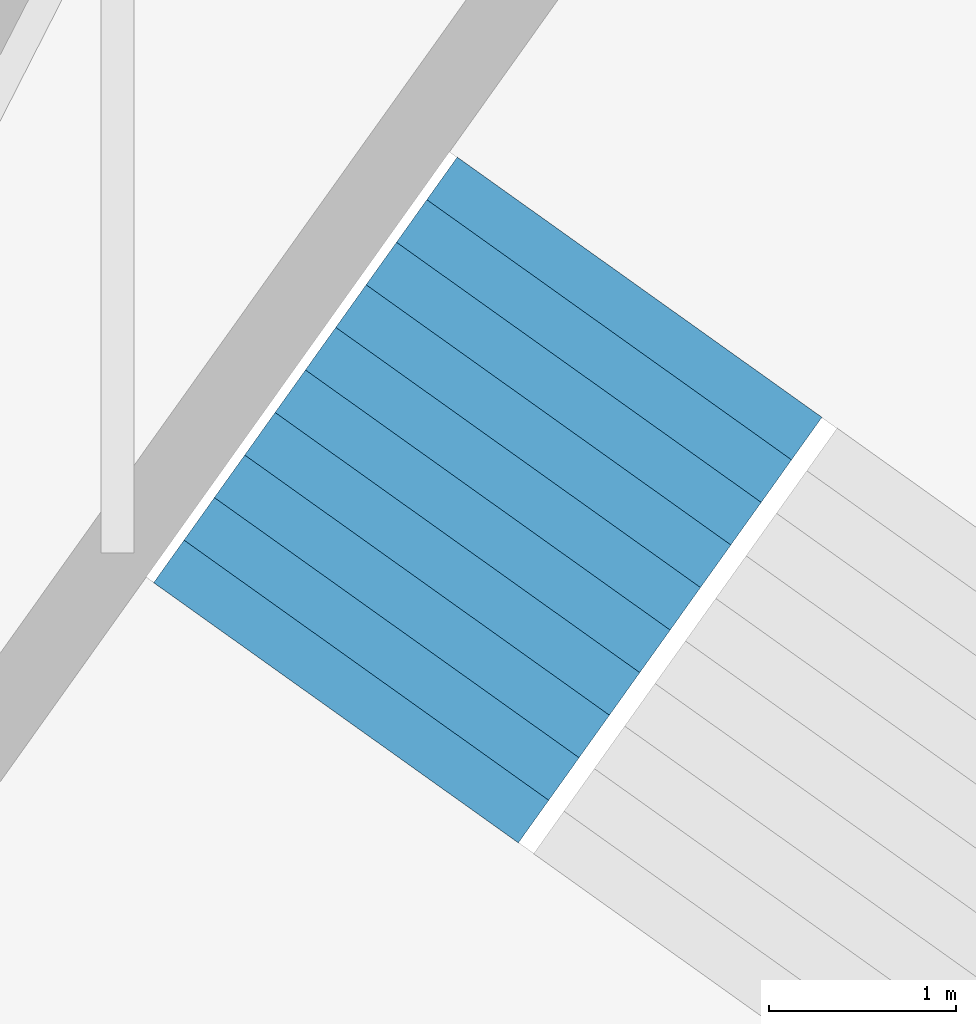
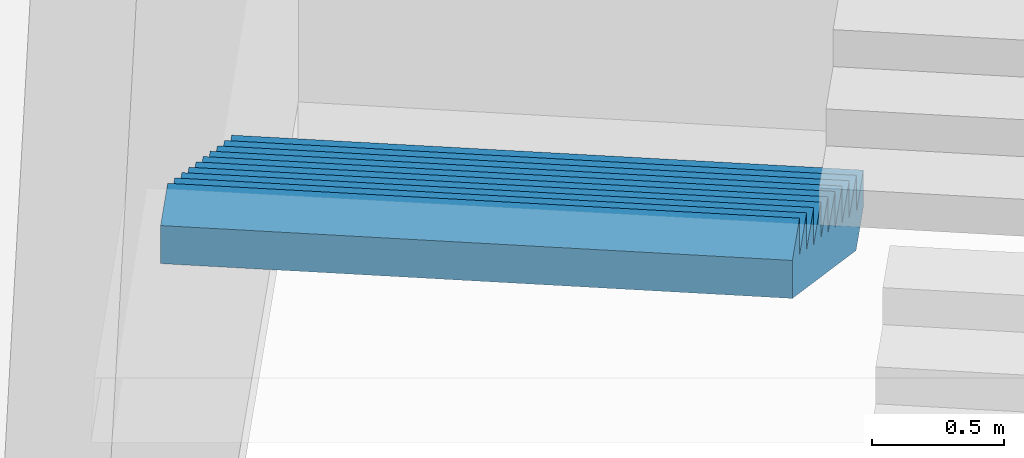
# One storey, part 71 of 73: 1 stair flight, 1 element without a shape of its own.
"""IFC4 building model written with IfcOpenShell, lengths in metres."""

from ifc_helpers import new_model, si_unit, direction, frame, origin, place, context, subcontext, project, spatial, triangles, material, type_object, element, aggregate, save


model = new_model("IFC4")

# Units and contexts
model_context = context("Model", 3, precision=1e-05, world=origin(), true_north=direction((0.0, 1.0)))
body_context = subcontext(model_context, "Body", "Model", "MODEL_VIEW")
ifc_project = project(units=[si_unit("LENGTHUNIT", "METRE"), si_unit("AREAUNIT", "SQUARE_METRE"), si_unit("VOLUMEUNIT", "CUBIC_METRE"), si_unit("PLANEANGLEUNIT", "RADIAN"), si_unit("MASSUNIT", "GRAM", prefix="KILO")], contexts=[model_context])

# Site, building, storey
site_placement = place(None, origin())
site = spatial("IfcSite", under=ifc_project, at=site_placement, CompositionType="ELEMENT")
building_placement = place(site_placement, origin())
building = spatial("IfcBuilding", under=site, at=building_placement, Name="Lantaw Convention Tower", CompositionType="ELEMENT")
storey_placement = place(building_placement, frame((0.0, 0.0, 14.5)))
storey = spatial("IfcBuildingStorey", under=building, at=storey_placement, Name="L02", CompositionType="ELEMENT", Elevation=14.5)

# Stair, stair flight
ifc_material = material(Name="Concrete C35/45", Category="concrete")
stair_type = type_object("IfcStairType", Name="Exit stair 2400 riser 170.45 in 4 flights", PredefinedType="HALF_TURN_STAIR", material=ifc_material)
stair_placement = place(storey_placement, origin())
stair = element("IfcStair", 1, at=stair_placement, inside=storey, type_object=stair_type, Name="Podium exit stair P4 L02", PredefinedType="HALF_TURN_STAIR")
stair_flight_type = type_object("IfcStairFlightType", Name="Stair flight 2400 riser 170.45", PredefinedType="STRAIGHT", material=ifc_material)
stair_flight_placement = place(storey_placement, frame((18.59619140625, 28.2236328125, 1.875), z_axis=(0.0, 0.0, 1.0), x_axis=(-0.580702955711, -0.814115518356, 0.0)))
stair_flight = element("IfcStairFlight", 2, at=stair_flight_placement, type_object=stair_flight_type, Name="P4 flight 2", NumberOfRisers=11, NumberOfTreads=10, PredefinedType="STRAIGHT", RiserHeight=0.170454545, TreadLength=0.28, context=body_context, shape_type="Tessellation", body=[
    triangles([(0.0, 1.199951171875, 0.0), (0.0, 1.199951171875, 0.170454545), (0.28, 1.199951171875, 0.0), (0.28, 1.199951171875, 0.170454545), (0.28, 1.199951171875, 0.34090909), (0.28827876332691904, 1.199951171875, 0.0), (0.28827876332691904, 1.199951171875, 0.34090909), (0.56, 1.199951171875, 0.16541471344266906), (0.56, 1.199951171875, 0.34090909), (0.56, 1.199951171875, 0.511363635), (0.8400000000000001, 1.199951171875, 0.335869258442669), (0.8400000000000001, 1.199951171875, 0.511363635), (0.8400000000000001, 1.199951171875, 0.68181818), (1.12, 1.199951171875, 0.506323803442669), (1.12, 1.199951171875, 0.68181818), (1.12, 1.199951171875, 0.8522727250000001), (1.4000000000000001, 1.199951171875, 0.676778348442669), (1.4000000000000001, 1.199951171875, 0.8522727250000001), (1.4000000000000001, 1.199951171875, 1.02272727), (1.6800000000000002, 1.199951171875, 0.847232893442669), (1.6800000000000002, 1.199951171875, 1.02272727), (1.6800000000000002, 1.199951171875, 1.193181815), (1.9600000000000002, 1.199951171875, 1.017687438442669), (1.9600000000000002, 1.199951171875, 1.193181815), (1.9600000000000002, 1.199951171875, 1.36363636), (2.24, 1.199951171875, 1.188141983442669), (2.24, 1.199951171875, 1.36363636), (2.24, 1.199951171875, 1.5340909050000002), (2.5200000000000005, 1.199951171875, 1.358596528442669), (2.5200000000000005, 1.199951171875, 1.5340909050000002), (2.5200000000000005, 1.199951171875, 1.7045454500000001), (2.8000000000000003, 1.199951171875, 1.529051073442669), (2.8000000000000003, 1.199951171875, 1.7045454500000001), (0.0, -1.199951171875, 0.0), (0.0, -1.199951171875, 0.170454545), (0.28, -1.199951171875, 0.0), (0.28, -1.199951171875, 0.170454545), (0.28, -1.199951171875, 0.34090909), (0.28827876332691904, -1.199951171875, 0.0), (0.28827876332691904, -1.199951171875, 0.34090909), (0.56, -1.199951171875, 0.16541471344266906), (0.56, -1.199951171875, 0.34090909), (0.56, -1.199951171875, 0.511363635), (0.8400000000000001, -1.199951171875, 0.335869258442669), (0.8400000000000001, -1.199951171875, 0.511363635), (0.8400000000000001, -1.199951171875, 0.68181818), (1.12, -1.199951171875, 0.506323803442669), (1.12, -1.199951171875, 0.68181818), (1.12, -1.199951171875, 0.8522727250000001), (1.4000000000000001, -1.199951171875, 0.676778348442669), (1.4000000000000001, -1.199951171875, 0.8522727250000001), (1.4000000000000001, -1.199951171875, 1.02272727), (1.6800000000000002, -1.199951171875, 0.847232893442669), (1.6800000000000002, -1.199951171875, 1.02272727), (1.6800000000000002, -1.199951171875, 1.193181815), (1.9600000000000002, -1.199951171875, 1.017687438442669), (1.9600000000000002, -1.199951171875, 1.193181815), (1.9600000000000002, -1.199951171875, 1.36363636), (2.24, -1.199951171875, 1.188141983442669), (2.24, -1.199951171875, 1.36363636), (2.24, -1.199951171875, 1.5340909050000002), (2.5200000000000005, -1.199951171875, 1.358596528442669), (2.5200000000000005, -1.199951171875, 1.5340909050000002), (2.5200000000000005, -1.199951171875, 1.7045454500000001), (2.8000000000000003, -1.199951171875, 1.529051073442669), (2.8000000000000003, -1.199951171875, 1.7045454500000001), (0.0, 0.239990234375, 0.170454545), (0.0, 0.239990234375, 0.0), (0.0, 0.1199951171875, 0.170454545), (0.0, 0.1199951171875, 0.0), (0.0, 0.0, 0.170454545), (0.0, 0.0, 0.0), (0.0, -0.1199951171875, 0.170454545), (0.0, -0.1199951171875, 0.0), (0.0, -0.239990234375, 0.170454545), (0.0, -0.239990234375, 0.0), (0.28, 0.239990234375, 0.34090909), (0.28, 0.239990234375, 0.170454545), (0.28, 0.1199951171875, 0.34090909), (0.28, 0.1199951171875, 0.170454545), (0.28, 0.0, 0.34090909), (0.28, 0.0, 0.170454545), (0.28, -0.1199951171875, 0.34090909), (0.28, -0.1199951171875, 0.170454545), (0.28, -0.239990234375, 0.34090909), (0.28, -0.239990234375, 0.170454545), (0.56, 0.239990234375, 0.511363635), (0.56, 0.239990234375, 0.34090909), (0.56, 0.1199951171875, 0.511363635), (0.56, 0.1199951171875, 0.34090909), (0.56, 0.0, 0.511363635), (0.56, 0.0, 0.34090909), (0.56, -0.1199951171875, 0.511363635), (0.56, -0.1199951171875, 0.34090909), (0.56, -0.239990234375, 0.511363635), (0.56, -0.239990234375, 0.34090909), (0.8400000000000001, 0.239990234375, 0.68181818), (0.8400000000000001, 0.239990234375, 0.511363635), (0.8400000000000001, 0.1199951171875, 0.68181818), (0.8400000000000001, 0.1199951171875, 0.511363635), (0.8400000000000001, 0.0, 0.68181818), (0.8400000000000001, 0.0, 0.511363635), (0.8400000000000001, -0.1199951171875, 0.68181818), (0.8400000000000001, -0.1199951171875, 0.511363635), (0.8400000000000001, -0.239990234375, 0.68181818), (0.8400000000000001, -0.239990234375, 0.511363635), (1.12, 0.239990234375, 0.8522727250000001), (1.12, 0.239990234375, 0.68181818), (1.12, 0.1199951171875, 0.8522727250000001), (1.12, 0.1199951171875, 0.68181818), (1.12, 0.0, 0.8522727250000001), (1.12, 0.0, 0.68181818), (1.12, -0.1199951171875, 0.8522727250000001), (1.12, -0.1199951171875, 0.68181818), (1.12, -0.239990234375, 0.8522727250000001), (1.12, -0.239990234375, 0.68181818), (1.4000000000000001, 0.239990234375, 1.02272727), (1.4000000000000001, 0.239990234375, 0.8522727250000001), (1.4000000000000001, 0.1199951171875, 1.02272727), (1.4000000000000001, 0.1199951171875, 0.8522727250000001), (1.4000000000000001, 0.0, 1.02272727), (1.4000000000000001, 0.0, 0.8522727250000001), (1.4000000000000001, -0.1199951171875, 1.02272727), (1.4000000000000001, -0.1199951171875, 0.8522727250000001), (1.4000000000000001, -0.239990234375, 1.02272727), (1.4000000000000001, -0.239990234375, 0.8522727250000001), (1.6800000000000002, 0.239990234375, 1.193181815), (1.6800000000000002, 0.239990234375, 1.02272727), (1.6800000000000002, 0.1199951171875, 1.193181815), (1.6800000000000002, 0.1199951171875, 1.02272727), (1.6800000000000002, 0.0, 1.193181815), (1.6800000000000002, 0.0, 1.02272727), (1.6800000000000002, -0.1199951171875, 1.193181815), (1.6800000000000002, -0.1199951171875, 1.02272727), (1.6800000000000002, -0.239990234375, 1.193181815), (1.6800000000000002, -0.239990234375, 1.02272727), (1.9600000000000002, 0.239990234375, 1.36363636), (1.9600000000000002, 0.239990234375, 1.193181815), (1.9600000000000002, 0.1199951171875, 1.36363636), (1.9600000000000002, 0.1199951171875, 1.193181815), (1.9600000000000002, 0.0, 1.36363636), (1.9600000000000002, 0.0, 1.193181815), (1.9600000000000002, -0.1199951171875, 1.36363636), (1.9600000000000002, -0.1199951171875, 1.193181815), (1.9600000000000002, -0.239990234375, 1.36363636), (1.9600000000000002, -0.239990234375, 1.193181815), (2.24, 0.239990234375, 1.5340909050000002), (2.24, 0.239990234375, 1.36363636), (2.24, 0.1199951171875, 1.5340909050000002), (2.24, 0.1199951171875, 1.36363636), (2.24, 0.0, 1.5340909050000002), (2.24, 0.0, 1.36363636), (2.24, -0.1199951171875, 1.5340909050000002), (2.24, -0.1199951171875, 1.36363636), (2.24, -0.239990234375, 1.5340909050000002), (2.24, -0.239990234375, 1.36363636), (2.5200000000000005, 0.239990234375, 1.7045454500000001), (2.5200000000000005, 0.239990234375, 1.5340909050000002), (2.5200000000000005, 0.1199951171875, 1.7045454500000001), (2.5200000000000005, 0.1199951171875, 1.5340909050000002), (2.5200000000000005, 0.0, 1.7045454500000001), (2.5200000000000005, 0.0, 1.5340909050000002), (2.5200000000000005, -0.1199951171875, 1.7045454500000001), (2.5200000000000005, -0.1199951171875, 1.5340909050000002), (2.5200000000000005, -0.239990234375, 1.7045454500000001), (2.5200000000000005, -0.239990234375, 1.5340909050000002), (0.28827876332691904, 0.239990234375, 0.34090909), (0.28827876332691904, 0.1199951171875, 0.34090909), (0.28827876332691904, 0.0, 0.34090909), (0.28827876332691904, -0.1199951171875, 0.34090909), (0.28827876332691904, -0.239990234375, 0.34090909), (2.8000000000000003, 0.239990234375, 1.7045454500000001), (2.8000000000000003, 0.1199951171875, 1.7045454500000001), (2.8000000000000003, 0.0, 1.7045454500000001), (2.8000000000000003, -0.1199951171875, 1.7045454500000001), (2.8000000000000003, -0.239990234375, 1.7045454500000001), (2.8000000000000003, 0.239990234375, 1.5290510734426692), (2.8000000000000003, 0.1199951171875, 1.5290510734426692), (2.8000000000000003, 0.0, 1.5290510734426692), (2.8000000000000003, -0.1199951171875, 1.5290510734426692), (2.8000000000000003, -0.239990234375, 1.5290510734426692), (2.5200000000000005, 0.239990234375, 1.358596528442669), (2.5200000000000005, 0.1199951171875, 1.358596528442669), (2.5200000000000005, 0.0, 1.358596528442669), (2.5200000000000005, -0.1199951171875, 1.358596528442669), (2.5200000000000005, -0.239990234375, 1.358596528442669), (2.24, 0.239990234375, 1.188141983442669), (2.24, 0.1199951171875, 1.188141983442669), (2.24, 0.0, 1.188141983442669), (2.24, -0.1199951171875, 1.188141983442669), (2.24, -0.239990234375, 1.188141983442669), (1.9600000000000002, 0.239990234375, 1.017687438442669), (1.9600000000000002, 0.1199951171875, 1.017687438442669), (1.9600000000000002, 0.0, 1.017687438442669), (1.9600000000000002, -0.1199951171875, 1.017687438442669), (1.9600000000000002, -0.239990234375, 1.017687438442669), (1.6800000000000002, 0.239990234375, 0.847232893442669), (1.6800000000000002, 0.1199951171875, 0.847232893442669), (1.6800000000000002, 0.0, 0.847232893442669), (1.6800000000000002, -0.1199951171875, 0.847232893442669), (1.6800000000000002, -0.239990234375, 0.847232893442669), (1.4000000000000001, 0.239990234375, 0.676778348442669), (1.4000000000000001, 0.1199951171875, 0.676778348442669), (1.4000000000000001, 0.0, 0.676778348442669), (1.4000000000000001, -0.1199951171875, 0.676778348442669), (1.4000000000000001, -0.239990234375, 0.676778348442669), (1.12, 0.239990234375, 0.506323803442669), (1.12, 0.1199951171875, 0.506323803442669), (1.12, 0.0, 0.506323803442669), (1.12, -0.1199951171875, 0.506323803442669), (1.12, -0.239990234375, 0.506323803442669), (0.8400000000000001, 0.239990234375, 0.335869258442669), (0.8400000000000001, 0.1199951171875, 0.335869258442669), (0.8400000000000001, 0.0, 0.335869258442669), (0.8400000000000001, -0.1199951171875, 0.335869258442669), (0.8400000000000001, -0.239990234375, 0.335869258442669), (0.56, 0.239990234375, 0.16541471344266906), (0.56, 0.1199951171875, 0.16541471344266906), (0.56, 0.0, 0.16541471344266906), (0.56, -0.1199951171875, 0.16541471344266906), (0.56, -0.239990234375, 0.16541471344266906), (0.28827876332691904, 0.239990234375, 0.0), (0.28827876332691904, 0.1199951171875, 0.0), (0.28827876332691904, 0.0, 0.0), (0.28827876332691904, -0.1199951171875, 0.0), (0.28827876332691904, -0.239990234375, 0.0), (0.28, 0.239990234375, 0.0), (0.28, 0.1199951171875, 0.0), (0.28, 0.0, 0.0), (0.28, -0.1199951171875, 0.0), (0.28, -0.239990234375, 0.0)], [[1, 4, 3], [1, 2, 4], [3, 4, 6], [4, 7, 6], [4, 5, 7], [6, 9, 8], [6, 7, 9], [8, 9, 11], [9, 12, 11], [9, 10, 12], [11, 12, 14], [12, 15, 14], [12, 13, 15], [14, 15, 17], [15, 18, 17], [15, 16, 18], [17, 18, 20], [18, 21, 20], [18, 19, 21], [20, 21, 23], [21, 24, 23], [21, 22, 24], [23, 24, 26], [24, 27, 26], [24, 25, 27], [26, 27, 29], [27, 30, 29], [27, 28, 30], [29, 30, 32], [30, 33, 32], [30, 31, 33], [34, 36, 37], [34, 37, 35], [36, 39, 37], [37, 39, 40], [37, 40, 38], [39, 41, 42], [39, 42, 40], [41, 44, 42], [42, 44, 45], [42, 45, 43], [44, 47, 45], [45, 47, 48], [45, 48, 46], [47, 50, 48], [48, 50, 51], [48, 51, 49], [50, 53, 51], [51, 53, 54], [51, 54, 52], [53, 56, 54], [54, 56, 57], [54, 57, 55], [56, 59, 57], [57, 59, 60], [57, 60, 58], [59, 62, 60], [60, 62, 63], [60, 63, 61], [62, 65, 63], [63, 65, 66], [63, 66, 64], [1, 67, 2], [1, 68, 67], [68, 69, 67], [68, 70, 69], [70, 71, 69], [70, 72, 71], [72, 73, 71], [72, 74, 73], [74, 75, 73], [74, 76, 75], [76, 35, 75], [76, 34, 35], [4, 77, 5], [4, 78, 77], [78, 79, 77], [78, 80, 79], [80, 81, 79], [80, 82, 81], [82, 83, 81], [82, 84, 83], [84, 85, 83], [84, 86, 85], [86, 38, 85], [86, 37, 38], [9, 87, 10], [9, 88, 87], [88, 89, 87], [88, 90, 89], [90, 91, 89], [90, 92, 91], [92, 93, 91], [92, 94, 93], [94, 95, 93], [94, 96, 95], [96, 43, 95], [96, 42, 43], [12, 97, 13], [12, 98, 97], [98, 99, 97], [98, 100, 99], [100, 101, 99], [100, 102, 101], [102, 103, 101], [102, 104, 103], [104, 105, 103], [104, 106, 105], [106, 46, 105], [106, 45, 46], [15, 107, 16], [15, 108, 107], [108, 109, 107], [108, 110, 109], [110, 111, 109], [110, 112, 111], [112, 113, 111], [112, 114, 113], [114, 115, 113], [114, 116, 115], [116, 49, 115], [116, 48, 49], [18, 117, 19], [18, 118, 117], [118, 119, 117], [118, 120, 119], [120, 121, 119], [120, 122, 121], [122, 123, 121], [122, 124, 123], [124, 125, 123], [124, 126, 125], [126, 52, 125], [126, 51, 52], [21, 127, 22], [21, 128, 127], [128, 129, 127], [128, 130, 129], [130, 131, 129], [130, 132, 131], [132, 133, 131], [132, 134, 133], [134, 135, 133], [134, 136, 135], [136, 55, 135], [136, 54, 55], [24, 137, 25], [24, 138, 137], [138, 139, 137], [138, 140, 139], [140, 141, 139], [140, 142, 141], [142, 143, 141], [142, 144, 143], [144, 145, 143], [144, 146, 145], [146, 58, 145], [146, 57, 58], [27, 147, 28], [27, 148, 147], [148, 149, 147], [148, 150, 149], [150, 151, 149], [150, 152, 151], [152, 153, 151], [152, 154, 153], [154, 155, 153], [154, 156, 155], [156, 61, 155], [156, 60, 61], [30, 157, 31], [30, 158, 157], [158, 159, 157], [158, 160, 159], [160, 161, 159], [160, 162, 161], [162, 163, 161], [162, 164, 163], [164, 165, 163], [164, 166, 165], [166, 64, 165], [166, 63, 64], [2, 78, 4], [2, 67, 78], [67, 80, 78], [67, 69, 80], [69, 82, 80], [69, 71, 82], [71, 84, 82], [71, 73, 84], [73, 86, 84], [73, 75, 86], [75, 37, 86], [75, 35, 37], [5, 167, 7], [5, 77, 167], [77, 168, 167], [77, 79, 168], [79, 169, 168], [79, 81, 169], [81, 170, 169], [81, 83, 170], [83, 171, 170], [83, 85, 171], [85, 40, 171], [85, 38, 40], [7, 88, 9], [7, 167, 88], [167, 90, 88], [167, 168, 90], [168, 92, 90], [168, 169, 92], [169, 94, 92], [169, 170, 94], [170, 96, 94], [170, 171, 96], [171, 42, 96], [171, 40, 42], [10, 98, 12], [10, 87, 98], [87, 100, 98], [87, 89, 100], [89, 102, 100], [89, 91, 102], [91, 104, 102], [91, 93, 104], [93, 106, 104], [93, 95, 106], [95, 45, 106], [95, 43, 45], [13, 108, 15], [13, 97, 108], [97, 110, 108], [97, 99, 110], [99, 112, 110], [99, 101, 112], [101, 114, 112], [101, 103, 114], [103, 116, 114], [103, 105, 116], [105, 48, 116], [105, 46, 48], [16, 118, 18], [16, 107, 118], [107, 120, 118], [107, 109, 120], [109, 122, 120], [109, 111, 122], [111, 124, 122], [111, 113, 124], [113, 126, 124], [113, 115, 126], [115, 51, 126], [115, 49, 51], [19, 128, 21], [19, 117, 128], [117, 130, 128], [117, 119, 130], [119, 132, 130], [119, 121, 132], [121, 134, 132], [121, 123, 134], [123, 136, 134], [123, 125, 136], [125, 54, 136], [125, 52, 54], [22, 138, 24], [22, 127, 138], [127, 140, 138], [127, 129, 140], [129, 142, 140], [129, 131, 142], [131, 144, 142], [131, 133, 144], [133, 146, 144], [133, 135, 146], [135, 57, 146], [135, 55, 57], [25, 148, 27], [25, 137, 148], [137, 150, 148], [137, 139, 150], [139, 152, 150], [139, 141, 152], [141, 154, 152], [141, 143, 154], [143, 156, 154], [143, 145, 156], [145, 60, 156], [145, 58, 60], [28, 158, 30], [28, 147, 158], [147, 160, 158], [147, 149, 160], [149, 162, 160], [149, 151, 162], [151, 164, 162], [151, 153, 164], [153, 166, 164], [153, 155, 166], [155, 63, 166], [155, 61, 63], [31, 172, 33], [31, 157, 172], [157, 173, 172], [157, 159, 173], [159, 174, 173], [159, 161, 174], [161, 175, 174], [161, 163, 175], [163, 176, 175], [163, 165, 176], [165, 66, 176], [165, 64, 66], [33, 177, 32], [33, 172, 177], [172, 178, 177], [172, 173, 178], [173, 179, 178], [173, 174, 179], [174, 180, 179], [174, 175, 180], [175, 181, 180], [175, 176, 181], [176, 65, 181], [176, 66, 65], [32, 182, 29], [32, 177, 182], [177, 183, 182], [177, 178, 183], [178, 184, 183], [178, 179, 184], [179, 185, 184], [179, 180, 185], [180, 186, 185], [180, 181, 186], [181, 62, 186], [181, 65, 62], [29, 187, 26], [29, 182, 187], [182, 188, 187], [182, 183, 188], [183, 189, 188], [183, 184, 189], [184, 190, 189], [184, 185, 190], [185, 191, 190], [185, 186, 191], [186, 59, 191], [186, 62, 59], [26, 192, 23], [26, 187, 192], [187, 193, 192], [187, 188, 193], [188, 194, 193], [188, 189, 194], [189, 195, 194], [189, 190, 195], [190, 196, 195], [190, 191, 196], [191, 56, 196], [191, 59, 56], [23, 197, 20], [23, 192, 197], [192, 198, 197], [192, 193, 198], [193, 199, 198], [193, 194, 199], [194, 200, 199], [194, 195, 200], [195, 201, 200], [195, 196, 201], [196, 53, 201], [196, 56, 53], [20, 202, 17], [20, 197, 202], [197, 203, 202], [197, 198, 203], [198, 204, 203], [198, 199, 204], [199, 205, 204], [199, 200, 205], [200, 206, 205], [200, 201, 206], [201, 50, 206], [201, 53, 50], [17, 207, 14], [17, 202, 207], [202, 208, 207], [202, 203, 208], [203, 209, 208], [203, 204, 209], [204, 210, 209], [204, 205, 210], [205, 211, 210], [205, 206, 211], [206, 47, 211], [206, 50, 47], [14, 212, 11], [14, 207, 212], [207, 213, 212], [207, 208, 213], [208, 214, 213], [208, 209, 214], [209, 215, 214], [209, 210, 215], [210, 216, 215], [210, 211, 216], [211, 44, 216], [211, 47, 44], [11, 217, 8], [11, 212, 217], [212, 218, 217], [212, 213, 218], [213, 219, 218], [213, 214, 219], [214, 220, 219], [214, 215, 220], [215, 221, 220], [215, 216, 221], [216, 41, 221], [216, 44, 41], [8, 222, 6], [8, 217, 222], [217, 223, 222], [217, 218, 223], [218, 224, 223], [218, 219, 224], [219, 225, 224], [219, 220, 225], [220, 226, 225], [220, 221, 226], [221, 39, 226], [221, 41, 39], [6, 227, 3], [6, 222, 227], [222, 228, 227], [222, 223, 228], [223, 229, 228], [223, 224, 229], [224, 230, 229], [224, 225, 230], [225, 231, 230], [225, 226, 231], [226, 36, 231], [226, 39, 36], [3, 68, 1], [3, 227, 68], [227, 70, 68], [227, 228, 70], [228, 72, 70], [228, 229, 72], [229, 74, 72], [229, 230, 74], [230, 76, 74], [230, 231, 76], [231, 34, 76], [231, 36, 34]], closed=True),
])
aggregate(stair, [stair_flight])

save(model, "model.ifc")
